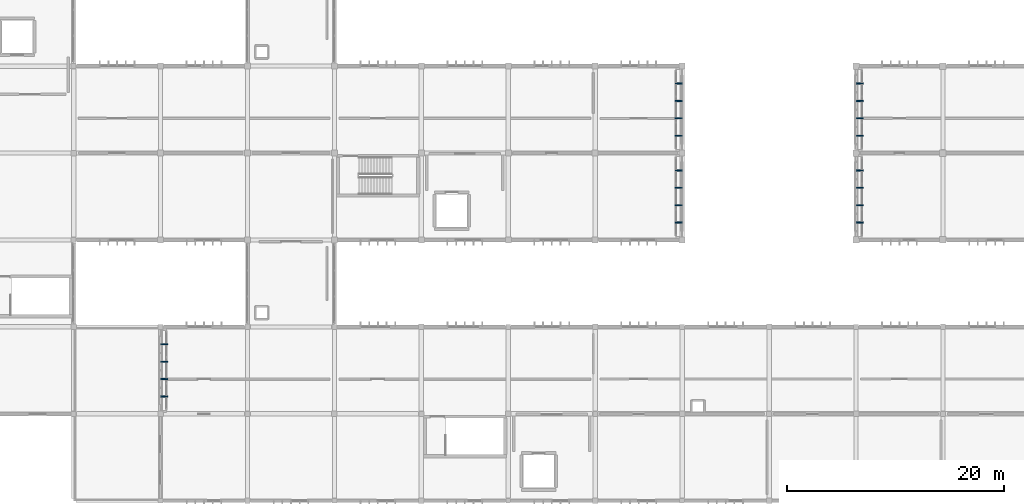
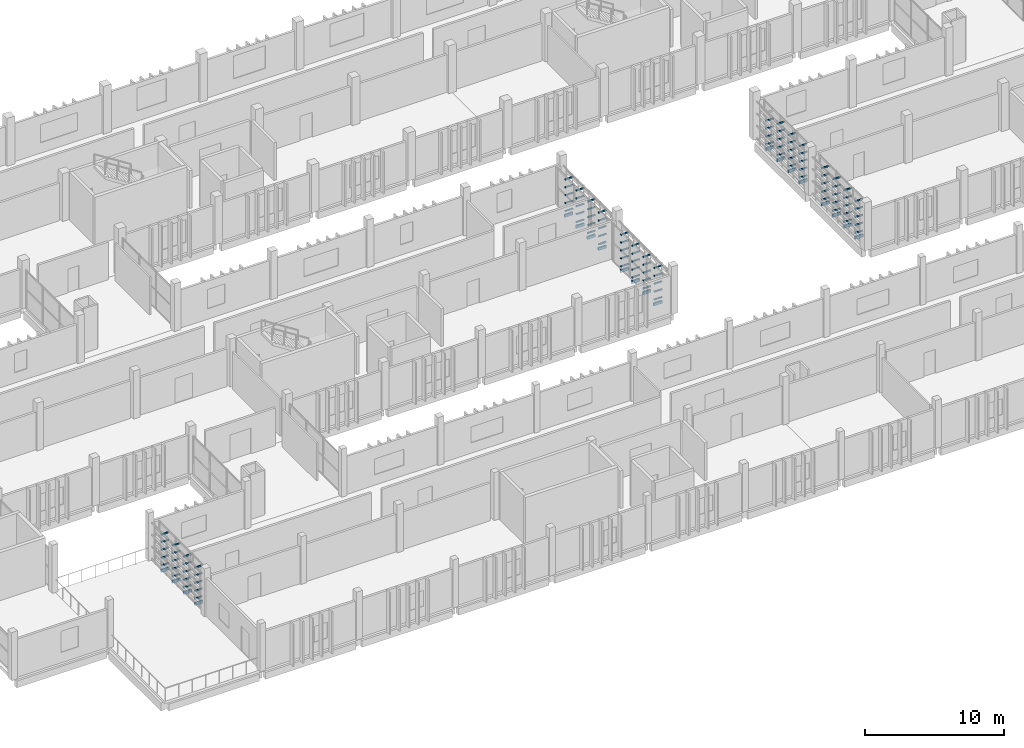
# One storey, part 56 of 63: 119 discrete accessories.
"""IFC4 building model written with IfcOpenShell, lengths in metres."""

from ifc_helpers import new_model, si_unit, direction, frame, origin, origin_2d, place, context, subcontext, project, spatial, rectangle, extrude, material, type_object, element, save


model = new_model("IFC4")

# Units and contexts
model_context = context("Model", 3, precision=1e-05, world=origin(), true_north=direction((0.0, 1.0)))
body_context = subcontext(model_context, "Body", "Model", "MODEL_VIEW")
ifc_project = project(units=[si_unit("LENGTHUNIT", "METRE"), si_unit("AREAUNIT", "SQUARE_METRE"), si_unit("VOLUMEUNIT", "CUBIC_METRE"), si_unit("PLANEANGLEUNIT", "RADIAN"), si_unit("MASSUNIT", "GRAM", prefix="KILO")], contexts=[model_context])

# Site, building, storey
site_placement = place(None, origin())
site = spatial("IfcSite", under=ifc_project, at=site_placement, CompositionType="ELEMENT")
building_placement = place(site_placement, origin())
building = spatial("IfcBuilding", under=site, at=building_placement, Name="Jelvoka-Kovrelna Polytechnic", CompositionType="ELEMENT")
storey_placement = place(building_placement, frame((0.0, 0.0, 18.0)))
storey = spatial("IfcBuildingStorey", under=building, at=storey_placement, Name="L05", CompositionType="ELEMENT", Elevation=18.0)

# Discrete accessories
ifc_material = material(Name="Structural steel S355JR", Category="steel")
discrete_accessory_type = type_object("IfcDiscreteAccessoryType", Name="Bracket_Outrigger_S355", PredefinedType="BRACKET", material=ifc_material)
discrete_accessory_1_placement = place(storey_placement, frame((64.320068359375, 17.60009765625, 0.33984375), z_axis=(0.0, 0.0, 1.0), x_axis=(1.0, 0.0, 0.0)))
element("IfcDiscreteAccessory", 1, at=discrete_accessory_1_placement, inside=storey, type_object=discrete_accessory_type, Name="L05 screen outrigger tie bracket BRKM-PLT-SCR-0121", PredefinedType="BRACKET", context=body_context, shape_type="SweptSolid", body=[
    extrude(rectangle(XDim=0.639892578125, YDim=0.080078125, at=origin_2d()), origin(), (0.0, 0.0, 1.0), 0.080078125),
])
discrete_accessory_2_placement = place(storey_placement, frame((64.340087890625, 17.60009765625, -0.2001953125), z_axis=(0.0, 0.0, 1.0), x_axis=(1.0, 0.0, 0.0)))
element("IfcDiscreteAccessory", 2, at=discrete_accessory_2_placement, inside=storey, type_object=discrete_accessory_type, Name="L05 screen outrigger tie bracket BRK-PLT-SCR-0121", PredefinedType="BRACKET", context=body_context, shape_type="SweptSolid", body=[
    extrude(rectangle(XDim=0.679931640625, YDim=0.1201171875, at=origin_2d()), origin(), (0.0, 0.0, 1.0), 0.239990234375),
])
for number, where, z_axis, x_axis, name in (
    (3, (64.320068359375, 17.60009765625, 1.017578125), (0.0, 0.0, 1.0), (1.0, 0.0, 0.0), "L05 screen outrigger tie bracket BRKM-PLT-SCR-0122"),
    (4, (64.320068359375, 17.60009765625, 1.695068359375), (0.0, 0.0, 1.0), (1.0, 0.0, 0.0), "L05 screen outrigger tie bracket BRKM-PLT-SCR-0123"),
    (5, (64.320068359375, 17.60009765625, 2.37255859375), (0.0, 0.0, 1.0), (1.0, 0.0, 0.0), "L05 screen outrigger tie bracket BRKM-PLT-SCR-0124"),
    (6, (64.320068359375, 17.60009765625, 3.050048828125), (0.0, 0.0, 1.0), (1.0, 0.0, 0.0), "L05 screen outrigger tie bracket BRKM-PLT-SCR-0125"),
    (7, (64.320068359375, 19.199951171875, 0.33984375), (0.0, 0.0, 1.0), (1.0, 0.0, 0.0), "L05 screen outrigger tie bracket BRKM-PLT-SCR-0126"),
):
    element("IfcDiscreteAccessory", number, at=place(storey_placement, frame(where, z_axis=z_axis, x_axis=x_axis)), inside=storey, type_object=discrete_accessory_type, Name=name, PredefinedType="BRACKET", context=body_context, shape_type="SweptSolid", body=[
        extrude(rectangle(XDim=0.639892578125, YDim=0.080078125, at=origin_2d()), origin(), (0.0, 0.0, 1.0), 0.080078125),
    ])
discrete_accessory_3_placement = place(storey_placement, frame((64.340087890625, 19.199951171875, -0.2001953125), z_axis=(0.0, 0.0, 1.0), x_axis=(1.0, 0.0, 0.0)))
element("IfcDiscreteAccessory", 8, at=discrete_accessory_3_placement, inside=storey, type_object=discrete_accessory_type, Name="L05 screen outrigger tie bracket BRK-PLT-SCR-0126", PredefinedType="BRACKET", context=body_context, shape_type="SweptSolid", body=[
    extrude(rectangle(XDim=0.679931640625, YDim=0.1201171875, at=origin_2d()), origin(), (0.0, 0.0, 1.0), 0.239990234375),
])
for number, where, z_axis, x_axis, name in (
    (9, (64.320068359375, 19.199951171875, 1.017578125), (0.0, 0.0, 1.0), (1.0, 0.0, 0.0), "L05 screen outrigger tie bracket BRKM-PLT-SCR-0127"),
    (10, (64.320068359375, 19.199951171875, 1.695068359375), (0.0, 0.0, 1.0), (1.0, 0.0, 0.0), "L05 screen outrigger tie bracket BRKM-PLT-SCR-0128"),
    (11, (64.320068359375, 19.199951171875, 2.37255859375), (0.0, 0.0, 1.0), (1.0, 0.0, 0.0), "L05 screen outrigger tie bracket BRKM-PLT-SCR-0129"),
    (12, (64.320068359375, 19.199951171875, 3.050048828125), (0.0, 0.0, 1.0), (1.0, 0.0, 0.0), "L05 screen outrigger tie bracket BRKM-PLT-SCR-0130"),
    (13, (64.320068359375, 20.800048828125, 0.33984375), (0.0, 0.0, 1.0), (1.0, 0.0, 0.0), "L05 screen outrigger tie bracket BRKM-PLT-SCR-0131"),
):
    element("IfcDiscreteAccessory", number, at=place(storey_placement, frame(where, z_axis=z_axis, x_axis=x_axis)), inside=storey, type_object=discrete_accessory_type, Name=name, PredefinedType="BRACKET", context=body_context, shape_type="SweptSolid", body=[
        extrude(rectangle(XDim=0.639892578125, YDim=0.080078125, at=origin_2d()), origin(), (0.0, 0.0, 1.0), 0.080078125),
    ])
discrete_accessory_4_placement = place(storey_placement, frame((64.340087890625, 20.800048828125, -0.2001953125), z_axis=(0.0, 0.0, 1.0), x_axis=(1.0, 0.0, 0.0)))
element("IfcDiscreteAccessory", 14, at=discrete_accessory_4_placement, inside=storey, type_object=discrete_accessory_type, Name="L05 screen outrigger tie bracket BRK-PLT-SCR-0131", PredefinedType="BRACKET", context=body_context, shape_type="SweptSolid", body=[
    extrude(rectangle(XDim=0.679931640625, YDim=0.1201171875, at=origin_2d()), origin(), (0.0, 0.0, 1.0), 0.239990234375),
])
for number, where, z_axis, x_axis, name in (
    (15, (64.320068359375, 20.800048828125, 1.017578125), (0.0, 0.0, 1.0), (1.0, 0.0, 0.0), "L05 screen outrigger tie bracket BRKM-PLT-SCR-0132"),
    (16, (64.320068359375, 20.800048828125, 1.695068359375), (0.0, 0.0, 1.0), (1.0, 0.0, 0.0), "L05 screen outrigger tie bracket BRKM-PLT-SCR-0133"),
    (17, (64.320068359375, 20.800048828125, 2.37255859375), (0.0, 0.0, 1.0), (1.0, 0.0, 0.0), "L05 screen outrigger tie bracket BRKM-PLT-SCR-0134"),
    (18, (64.320068359375, 20.800048828125, 3.050048828125), (0.0, 0.0, 1.0), (1.0, 0.0, 0.0), "L05 screen outrigger tie bracket BRKM-PLT-SCR-0135"),
    (19, (64.320068359375, 22.39990234375, 0.33984375), (0.0, 0.0, 1.0), (1.0, 0.0, 0.0), "L05 screen outrigger tie bracket BRKM-PLT-SCR-0136"),
):
    element("IfcDiscreteAccessory", number, at=place(storey_placement, frame(where, z_axis=z_axis, x_axis=x_axis)), inside=storey, type_object=discrete_accessory_type, Name=name, PredefinedType="BRACKET", context=body_context, shape_type="SweptSolid", body=[
        extrude(rectangle(XDim=0.639892578125, YDim=0.080078125, at=origin_2d()), origin(), (0.0, 0.0, 1.0), 0.080078125),
    ])
discrete_accessory_5_placement = place(storey_placement, frame((64.340087890625, 22.39990234375, -0.2001953125), z_axis=(0.0, 0.0, 1.0), x_axis=(1.0, 0.0, 0.0)))
element("IfcDiscreteAccessory", 20, at=discrete_accessory_5_placement, inside=storey, type_object=discrete_accessory_type, Name="L05 screen outrigger tie bracket BRK-PLT-SCR-0136", PredefinedType="BRACKET", context=body_context, shape_type="SweptSolid", body=[
    extrude(rectangle(XDim=0.679931640625, YDim=0.1201171875, at=origin_2d()), origin(), (0.0, 0.0, 1.0), 0.239990234375),
])
for number, where, z_axis, x_axis, name in (
    (21, (64.320068359375, 22.39990234375, 1.017578125), (0.0, 0.0, 1.0), (1.0, 0.0, 0.0), "L05 screen outrigger tie bracket BRKM-PLT-SCR-0137"),
    (22, (64.320068359375, 22.39990234375, 1.695068359375), (0.0, 0.0, 1.0), (1.0, 0.0, 0.0), "L05 screen outrigger tie bracket BRKM-PLT-SCR-0138"),
    (23, (64.320068359375, 22.39990234375, 2.37255859375), (0.0, 0.0, 1.0), (1.0, 0.0, 0.0), "L05 screen outrigger tie bracket BRKM-PLT-SCR-0139"),
    (24, (64.320068359375, 22.39990234375, 3.050048828125), (0.0, 0.0, 1.0), (1.0, 0.0, 0.0), "L05 screen outrigger tie bracket BRKM-PLT-SCR-0140"),
    (25, (111.679931640625, 33.60009765625, 0.280029296875), (0.0, 0.0, 1.0), (1.0, 0.0, 0.0), "L05 screen outrigger tie bracket BRKM-PLT-SCR-0321"),
):
    element("IfcDiscreteAccessory", number, at=place(storey_placement, frame(where, z_axis=z_axis, x_axis=x_axis)), inside=storey, type_object=discrete_accessory_type, Name=name, PredefinedType="BRACKET", context=body_context, shape_type="SweptSolid", body=[
        extrude(rectangle(XDim=0.639892578125, YDim=0.080078125, at=origin_2d()), origin(), (0.0, 0.0, 1.0), 0.080078125),
    ])
discrete_accessory_6_placement = place(storey_placement, frame((111.659912109375, 33.60009765625, -0.2001953125), z_axis=(0.0, 0.0, 1.0), x_axis=(1.0, 0.0, 0.0)))
element("IfcDiscreteAccessory", 26, at=discrete_accessory_6_placement, inside=storey, type_object=discrete_accessory_type, Name="L05 screen outrigger tie bracket BRK-PLT-SCR-0321", PredefinedType="BRACKET", context=body_context, shape_type="SweptSolid", body=[
    extrude(rectangle(XDim=0.679931640625, YDim=0.1201171875, at=origin_2d()), origin(), (0.0, 0.0, 1.0), 0.239990234375),
])
for number, where, z_axis, x_axis, name in (
    (27, (111.679931640625, 33.60009765625, 0.972412109375), (0.0, 0.0, 1.0), (1.0, 0.0, 0.0), "L05 screen outrigger tie bracket BRKM-PLT-SCR-0322"),
    (28, (111.679931640625, 33.60009765625, 1.6650390625), (0.0, 0.0, 1.0), (1.0, 0.0, 0.0), "L05 screen outrigger tie bracket BRKM-PLT-SCR-0323"),
    (29, (111.679931640625, 33.60009765625, 2.357421875), (0.0, 0.0, 1.0), (1.0, 0.0, 0.0), "L05 screen outrigger tie bracket BRKM-PLT-SCR-0324"),
    (30, (111.679931640625, 33.60009765625, 3.050048828125), (0.0, 0.0, 1.0), (1.0, 0.0, 0.0), "L05 screen outrigger tie bracket BRKM-PLT-SCR-0325"),
    (31, (111.679931640625, 35.199951171875, 0.280029296875), (0.0, 0.0, 1.0), (1.0, 0.0, 0.0), "L05 screen outrigger tie bracket BRKM-PLT-SCR-0326"),
):
    element("IfcDiscreteAccessory", number, at=place(storey_placement, frame(where, z_axis=z_axis, x_axis=x_axis)), inside=storey, type_object=discrete_accessory_type, Name=name, PredefinedType="BRACKET", context=body_context, shape_type="SweptSolid", body=[
        extrude(rectangle(XDim=0.639892578125, YDim=0.080078125, at=origin_2d()), origin(), (0.0, 0.0, 1.0), 0.080078125),
    ])
discrete_accessory_7_placement = place(storey_placement, frame((111.659912109375, 35.199951171875, -0.2001953125), z_axis=(0.0, 0.0, 1.0), x_axis=(1.0, 0.0, 0.0)))
element("IfcDiscreteAccessory", 32, at=discrete_accessory_7_placement, inside=storey, type_object=discrete_accessory_type, Name="L05 screen outrigger tie bracket BRK-PLT-SCR-0326", PredefinedType="BRACKET", context=body_context, shape_type="SweptSolid", body=[
    extrude(rectangle(XDim=0.679931640625, YDim=0.1201171875, at=origin_2d()), origin(), (0.0, 0.0, 1.0), 0.239990234375),
])
for number, where, z_axis, x_axis, name in (
    (33, (111.679931640625, 35.199951171875, 0.972412109375), (0.0, 0.0, 1.0), (1.0, 0.0, 0.0), "L05 screen outrigger tie bracket BRKM-PLT-SCR-0327"),
    (34, (111.679931640625, 35.199951171875, 1.6650390625), (0.0, 0.0, 1.0), (1.0, 0.0, 0.0), "L05 screen outrigger tie bracket BRKM-PLT-SCR-0328"),
    (35, (111.679931640625, 35.199951171875, 2.357421875), (0.0, 0.0, 1.0), (1.0, 0.0, 0.0), "L05 screen outrigger tie bracket BRKM-PLT-SCR-0329"),
    (36, (111.679931640625, 35.199951171875, 3.050048828125), (0.0, 0.0, 1.0), (1.0, 0.0, 0.0), "L05 screen outrigger tie bracket BRKM-PLT-SCR-0330"),
    (37, (111.679931640625, 36.800048828125, 0.280029296875), (0.0, 0.0, 1.0), (1.0, 0.0, 0.0), "L05 screen outrigger tie bracket BRKM-PLT-SCR-0331"),
):
    element("IfcDiscreteAccessory", number, at=place(storey_placement, frame(where, z_axis=z_axis, x_axis=x_axis)), inside=storey, type_object=discrete_accessory_type, Name=name, PredefinedType="BRACKET", context=body_context, shape_type="SweptSolid", body=[
        extrude(rectangle(XDim=0.639892578125, YDim=0.080078125, at=origin_2d()), origin(), (0.0, 0.0, 1.0), 0.080078125),
    ])
discrete_accessory_8_placement = place(storey_placement, frame((111.659912109375, 36.800048828125, -0.2001953125), z_axis=(0.0, 0.0, 1.0), x_axis=(1.0, 0.0, 0.0)))
element("IfcDiscreteAccessory", 38, at=discrete_accessory_8_placement, inside=storey, type_object=discrete_accessory_type, Name="L05 screen outrigger tie bracket BRK-PLT-SCR-0331", PredefinedType="BRACKET", context=body_context, shape_type="SweptSolid", body=[
    extrude(rectangle(XDim=0.679931640625, YDim=0.1201171875, at=origin_2d()), origin(), (0.0, 0.0, 1.0), 0.239990234375),
])
for number, where, z_axis, x_axis, name in (
    (39, (111.679931640625, 36.800048828125, 0.972412109375), (0.0, 0.0, 1.0), (1.0, 0.0, 0.0), "L05 screen outrigger tie bracket BRKM-PLT-SCR-0332"),
    (40, (111.679931640625, 36.800048828125, 1.6650390625), (0.0, 0.0, 1.0), (1.0, 0.0, 0.0), "L05 screen outrigger tie bracket BRKM-PLT-SCR-0333"),
    (41, (111.679931640625, 36.800048828125, 2.357421875), (0.0, 0.0, 1.0), (1.0, 0.0, 0.0), "L05 screen outrigger tie bracket BRKM-PLT-SCR-0334"),
    (42, (111.679931640625, 36.800048828125, 3.050048828125), (0.0, 0.0, 1.0), (1.0, 0.0, 0.0), "L05 screen outrigger tie bracket BRKM-PLT-SCR-0335"),
    (43, (111.679931640625, 38.39990234375, 0.280029296875), (0.0, 0.0, 1.0), (1.0, 0.0, 0.0), "L05 screen outrigger tie bracket BRKM-PLT-SCR-0336"),
):
    element("IfcDiscreteAccessory", number, at=place(storey_placement, frame(where, z_axis=z_axis, x_axis=x_axis)), inside=storey, type_object=discrete_accessory_type, Name=name, PredefinedType="BRACKET", context=body_context, shape_type="SweptSolid", body=[
        extrude(rectangle(XDim=0.639892578125, YDim=0.080078125, at=origin_2d()), origin(), (0.0, 0.0, 1.0), 0.080078125),
    ])
discrete_accessory_9_placement = place(storey_placement, frame((111.659912109375, 38.39990234375, -0.2001953125), z_axis=(0.0, 0.0, 1.0), x_axis=(1.0, 0.0, 0.0)))
element("IfcDiscreteAccessory", 44, at=discrete_accessory_9_placement, inside=storey, type_object=discrete_accessory_type, Name="L05 screen outrigger tie bracket BRK-PLT-SCR-0336", PredefinedType="BRACKET", context=body_context, shape_type="SweptSolid", body=[
    extrude(rectangle(XDim=0.679931640625, YDim=0.1201171875, at=origin_2d()), origin(), (0.0, 0.0, 1.0), 0.239990234375),
])
for number, where, z_axis, x_axis, name in (
    (45, (111.679931640625, 38.39990234375, 0.972412109375), (0.0, 0.0, 1.0), (1.0, 0.0, 0.0), "L05 screen outrigger tie bracket BRKM-PLT-SCR-0337"),
    (46, (111.679931640625, 38.39990234375, 1.6650390625), (0.0, 0.0, 1.0), (1.0, 0.0, 0.0), "L05 screen outrigger tie bracket BRKM-PLT-SCR-0338"),
    (47, (111.679931640625, 38.39990234375, 2.357421875), (0.0, 0.0, 1.0), (1.0, 0.0, 0.0), "L05 screen outrigger tie bracket BRKM-PLT-SCR-0339"),
    (48, (111.679931640625, 38.39990234375, 3.050048828125), (0.0, 0.0, 1.0), (1.0, 0.0, 0.0), "L05 screen outrigger tie bracket BRKM-PLT-SCR-0340"),
    (49, (111.679931640625, 41.60009765625, 0.280029296875), (0.0, 0.0, 1.0), (1.0, 0.0, 0.0), "L05 screen outrigger tie bracket BRKM-PLT-SCR-0341"),
):
    element("IfcDiscreteAccessory", number, at=place(storey_placement, frame(where, z_axis=z_axis, x_axis=x_axis)), inside=storey, type_object=discrete_accessory_type, Name=name, PredefinedType="BRACKET", context=body_context, shape_type="SweptSolid", body=[
        extrude(rectangle(XDim=0.639892578125, YDim=0.080078125, at=origin_2d()), origin(), (0.0, 0.0, 1.0), 0.080078125),
    ])
discrete_accessory_10_placement = place(storey_placement, frame((111.659912109375, 41.60009765625, -0.2001953125), z_axis=(0.0, 0.0, 1.0), x_axis=(1.0, 0.0, 0.0)))
element("IfcDiscreteAccessory", 50, at=discrete_accessory_10_placement, inside=storey, type_object=discrete_accessory_type, Name="L05 screen outrigger tie bracket BRK-PLT-SCR-0341", PredefinedType="BRACKET", context=body_context, shape_type="SweptSolid", body=[
    extrude(rectangle(XDim=0.679931640625, YDim=0.1201171875, at=origin_2d()), origin(), (0.0, 0.0, 1.0), 0.239990234375),
])
for number, where, z_axis, x_axis, name in (
    (51, (111.679931640625, 41.60009765625, 0.972412109375), (0.0, 0.0, 1.0), (1.0, 0.0, 0.0), "L05 screen outrigger tie bracket BRKM-PLT-SCR-0342"),
    (52, (111.679931640625, 41.60009765625, 1.6650390625), (0.0, 0.0, 1.0), (1.0, 0.0, 0.0), "L05 screen outrigger tie bracket BRKM-PLT-SCR-0343"),
    (53, (111.679931640625, 41.60009765625, 2.357421875), (0.0, 0.0, 1.0), (1.0, 0.0, 0.0), "L05 screen outrigger tie bracket BRKM-PLT-SCR-0344"),
    (54, (111.679931640625, 41.60009765625, 3.050048828125), (0.0, 0.0, 1.0), (1.0, 0.0, 0.0), "L05 screen outrigger tie bracket BRKM-PLT-SCR-0345"),
    (55, (111.679931640625, 43.199951171875, 0.280029296875), (0.0, 0.0, 1.0), (1.0, 0.0, 0.0), "L05 screen outrigger tie bracket BRKM-PLT-SCR-0346"),
):
    element("IfcDiscreteAccessory", number, at=place(storey_placement, frame(where, z_axis=z_axis, x_axis=x_axis)), inside=storey, type_object=discrete_accessory_type, Name=name, PredefinedType="BRACKET", context=body_context, shape_type="SweptSolid", body=[
        extrude(rectangle(XDim=0.639892578125, YDim=0.080078125, at=origin_2d()), origin(), (0.0, 0.0, 1.0), 0.080078125),
    ])
discrete_accessory_11_placement = place(storey_placement, frame((111.659912109375, 43.199951171875, -0.2001953125), z_axis=(0.0, 0.0, 1.0), x_axis=(1.0, 0.0, 0.0)))
element("IfcDiscreteAccessory", 56, at=discrete_accessory_11_placement, inside=storey, type_object=discrete_accessory_type, Name="L05 screen outrigger tie bracket BRK-PLT-SCR-0346", PredefinedType="BRACKET", context=body_context, shape_type="SweptSolid", body=[
    extrude(rectangle(XDim=0.679931640625, YDim=0.1201171875, at=origin_2d()), origin(), (0.0, 0.0, 1.0), 0.239990234375),
])
for number, where, z_axis, x_axis, name in (
    (57, (111.679931640625, 43.199951171875, 0.972412109375), (0.0, 0.0, 1.0), (1.0, 0.0, 0.0), "L05 screen outrigger tie bracket BRKM-PLT-SCR-0347"),
    (58, (111.679931640625, 43.199951171875, 1.6650390625), (0.0, 0.0, 1.0), (1.0, 0.0, 0.0), "L05 screen outrigger tie bracket BRKM-PLT-SCR-0348"),
    (59, (111.679931640625, 43.199951171875, 2.357421875), (0.0, 0.0, 1.0), (1.0, 0.0, 0.0), "L05 screen outrigger tie bracket BRKM-PLT-SCR-0349"),
    (60, (111.679931640625, 43.199951171875, 3.050048828125), (0.0, 0.0, 1.0), (1.0, 0.0, 0.0), "L05 screen outrigger tie bracket BRKM-PLT-SCR-0350"),
    (61, (111.679931640625, 44.800048828125, 0.280029296875), (0.0, 0.0, 1.0), (1.0, 0.0, 0.0), "L05 screen outrigger tie bracket BRKM-PLT-SCR-0351"),
):
    element("IfcDiscreteAccessory", number, at=place(storey_placement, frame(where, z_axis=z_axis, x_axis=x_axis)), inside=storey, type_object=discrete_accessory_type, Name=name, PredefinedType="BRACKET", context=body_context, shape_type="SweptSolid", body=[
        extrude(rectangle(XDim=0.639892578125, YDim=0.080078125, at=origin_2d()), origin(), (0.0, 0.0, 1.0), 0.080078125),
    ])
discrete_accessory_12_placement = place(storey_placement, frame((111.659912109375, 44.800048828125, -0.2001953125), z_axis=(0.0, 0.0, 1.0), x_axis=(1.0, 0.0, 0.0)))
element("IfcDiscreteAccessory", 62, at=discrete_accessory_12_placement, inside=storey, type_object=discrete_accessory_type, Name="L05 screen outrigger tie bracket BRK-PLT-SCR-0351", PredefinedType="BRACKET", context=body_context, shape_type="SweptSolid", body=[
    extrude(rectangle(XDim=0.679931640625, YDim=0.1201171875, at=origin_2d()), origin(), (0.0, 0.0, 1.0), 0.239990234375),
])
for number, where, z_axis, x_axis, name in (
    (63, (111.679931640625, 44.800048828125, 0.972412109375), (0.0, 0.0, 1.0), (1.0, 0.0, 0.0), "L05 screen outrigger tie bracket BRKM-PLT-SCR-0352"),
    (64, (111.679931640625, 44.800048828125, 1.6650390625), (0.0, 0.0, 1.0), (1.0, 0.0, 0.0), "L05 screen outrigger tie bracket BRKM-PLT-SCR-0353"),
    (65, (111.679931640625, 44.800048828125, 2.357421875), (0.0, 0.0, 1.0), (1.0, 0.0, 0.0), "L05 screen outrigger tie bracket BRKM-PLT-SCR-0354"),
    (66, (111.679931640625, 44.800048828125, 3.050048828125), (0.0, 0.0, 1.0), (1.0, 0.0, 0.0), "L05 screen outrigger tie bracket BRKM-PLT-SCR-0355"),
    (67, (111.679931640625, 46.39990234375, 0.280029296875), (0.0, 0.0, 1.0), (1.0, 0.0, 0.0), "L05 screen outrigger tie bracket BRKM-PLT-SCR-0356"),
):
    element("IfcDiscreteAccessory", number, at=place(storey_placement, frame(where, z_axis=z_axis, x_axis=x_axis)), inside=storey, type_object=discrete_accessory_type, Name=name, PredefinedType="BRACKET", context=body_context, shape_type="SweptSolid", body=[
        extrude(rectangle(XDim=0.639892578125, YDim=0.080078125, at=origin_2d()), origin(), (0.0, 0.0, 1.0), 0.080078125),
    ])
discrete_accessory_13_placement = place(storey_placement, frame((111.659912109375, 46.39990234375, -0.2001953125), z_axis=(0.0, 0.0, 1.0), x_axis=(1.0, 0.0, 0.0)))
element("IfcDiscreteAccessory", 68, at=discrete_accessory_13_placement, inside=storey, type_object=discrete_accessory_type, Name="L05 screen outrigger tie bracket BRK-PLT-SCR-0356", PredefinedType="BRACKET", context=body_context, shape_type="SweptSolid", body=[
    extrude(rectangle(XDim=0.679931640625, YDim=0.1201171875, at=origin_2d()), origin(), (0.0, 0.0, 1.0), 0.239990234375),
])
for number, where, z_axis, x_axis, name in (
    (69, (111.679931640625, 46.39990234375, 0.972412109375), (0.0, 0.0, 1.0), (1.0, 0.0, 0.0), "L05 screen outrigger tie bracket BRKM-PLT-SCR-0357"),
    (70, (111.679931640625, 46.39990234375, 1.6650390625), (0.0, 0.0, 1.0), (1.0, 0.0, 0.0), "L05 screen outrigger tie bracket BRKM-PLT-SCR-0358"),
    (71, (111.679931640625, 46.39990234375, 2.357421875), (0.0, 0.0, 1.0), (1.0, 0.0, 0.0), "L05 screen outrigger tie bracket BRKM-PLT-SCR-0359"),
    (72, (111.679931640625, 46.39990234375, 3.050048828125), (0.0, 0.0, 1.0), (1.0, 0.0, 0.0), "L05 screen outrigger tie bracket BRKM-PLT-SCR-0360"),
    (73, (128.320068359375, 33.60009765625, 0.280029296875), (0.0, 0.0, 1.0), (1.0, 0.0, 0.0), "L05 screen outrigger tie bracket BRKM-PLT-SCR-0741"),
):
    element("IfcDiscreteAccessory", number, at=place(storey_placement, frame(where, z_axis=z_axis, x_axis=x_axis)), inside=storey, type_object=discrete_accessory_type, Name=name, PredefinedType="BRACKET", context=body_context, shape_type="SweptSolid", body=[
        extrude(rectangle(XDim=0.639892578125, YDim=0.080078125, at=origin_2d()), origin(), (0.0, 0.0, 1.0), 0.080078125),
    ])
discrete_accessory_14_placement = place(storey_placement, frame((128.340087890625, 33.60009765625, -0.2001953125), z_axis=(0.0, 0.0, 1.0), x_axis=(1.0, 0.0, 0.0)))
element("IfcDiscreteAccessory", 74, at=discrete_accessory_14_placement, inside=storey, type_object=discrete_accessory_type, Name="L05 screen outrigger tie bracket BRK-PLT-SCR-0741", PredefinedType="BRACKET", context=body_context, shape_type="SweptSolid", body=[
    extrude(rectangle(XDim=0.679931640625, YDim=0.1201171875, at=origin_2d()), origin(), (0.0, 0.0, 1.0), 0.239990234375),
])
for number, where, z_axis, x_axis, name in (
    (75, (128.320068359375, 33.60009765625, 0.972412109375), (0.0, 0.0, 1.0), (1.0, 0.0, 0.0), "L05 screen outrigger tie bracket BRKM-PLT-SCR-0742"),
    (76, (128.320068359375, 33.60009765625, 1.6650390625), (0.0, 0.0, 1.0), (1.0, 0.0, 0.0), "L05 screen outrigger tie bracket BRKM-PLT-SCR-0743"),
    (77, (128.320068359375, 33.60009765625, 2.357421875), (0.0, 0.0, 1.0), (1.0, 0.0, 0.0), "L05 screen outrigger tie bracket BRKM-PLT-SCR-0744"),
    (78, (128.320068359375, 33.60009765625, 3.050048828125), (0.0, 0.0, 1.0), (1.0, 0.0, 0.0), "L05 screen outrigger tie bracket BRKM-PLT-SCR-0745"),
    (79, (128.320068359375, 35.199951171875, 0.280029296875), (0.0, 0.0, 1.0), (1.0, 0.0, 0.0), "L05 screen outrigger tie bracket BRKM-PLT-SCR-0746"),
):
    element("IfcDiscreteAccessory", number, at=place(storey_placement, frame(where, z_axis=z_axis, x_axis=x_axis)), inside=storey, type_object=discrete_accessory_type, Name=name, PredefinedType="BRACKET", context=body_context, shape_type="SweptSolid", body=[
        extrude(rectangle(XDim=0.639892578125, YDim=0.080078125, at=origin_2d()), origin(), (0.0, 0.0, 1.0), 0.080078125),
    ])
discrete_accessory_15_placement = place(storey_placement, frame((128.340087890625, 35.199951171875, -0.2001953125), z_axis=(0.0, 0.0, 1.0), x_axis=(1.0, 0.0, 0.0)))
element("IfcDiscreteAccessory", 80, at=discrete_accessory_15_placement, inside=storey, type_object=discrete_accessory_type, Name="L05 screen outrigger tie bracket BRK-PLT-SCR-0746", PredefinedType="BRACKET", context=body_context, shape_type="SweptSolid", body=[
    extrude(rectangle(XDim=0.679931640625, YDim=0.1201171875, at=origin_2d()), origin(), (0.0, 0.0, 1.0), 0.239990234375),
])
for number, where, z_axis, x_axis, name in (
    (81, (128.320068359375, 35.199951171875, 0.972412109375), (0.0, 0.0, 1.0), (1.0, 0.0, 0.0), "L05 screen outrigger tie bracket BRKM-PLT-SCR-0747"),
    (82, (128.320068359375, 35.199951171875, 1.6650390625), (0.0, 0.0, 1.0), (1.0, 0.0, 0.0), "L05 screen outrigger tie bracket BRKM-PLT-SCR-0748"),
    (83, (128.320068359375, 35.199951171875, 2.357421875), (0.0, 0.0, 1.0), (1.0, 0.0, 0.0), "L05 screen outrigger tie bracket BRKM-PLT-SCR-0749"),
    (84, (128.320068359375, 35.199951171875, 3.050048828125), (0.0, 0.0, 1.0), (1.0, 0.0, 0.0), "L05 screen outrigger tie bracket BRKM-PLT-SCR-0750"),
    (85, (128.320068359375, 36.800048828125, 0.280029296875), (0.0, 0.0, 1.0), (1.0, 0.0, 0.0), "L05 screen outrigger tie bracket BRKM-PLT-SCR-0751"),
):
    element("IfcDiscreteAccessory", number, at=place(storey_placement, frame(where, z_axis=z_axis, x_axis=x_axis)), inside=storey, type_object=discrete_accessory_type, Name=name, PredefinedType="BRACKET", context=body_context, shape_type="SweptSolid", body=[
        extrude(rectangle(XDim=0.639892578125, YDim=0.080078125, at=origin_2d()), origin(), (0.0, 0.0, 1.0), 0.080078125),
    ])
discrete_accessory_16_placement = place(storey_placement, frame((128.340087890625, 36.800048828125, -0.2001953125), z_axis=(0.0, 0.0, 1.0), x_axis=(1.0, 0.0, 0.0)))
element("IfcDiscreteAccessory", 86, at=discrete_accessory_16_placement, inside=storey, type_object=discrete_accessory_type, Name="L05 screen outrigger tie bracket BRK-PLT-SCR-0751", PredefinedType="BRACKET", context=body_context, shape_type="SweptSolid", body=[
    extrude(rectangle(XDim=0.679931640625, YDim=0.1201171875, at=origin_2d()), origin(), (0.0, 0.0, 1.0), 0.239990234375),
])
for number, where, z_axis, x_axis, name in (
    (87, (128.320068359375, 36.800048828125, 0.972412109375), (0.0, 0.0, 1.0), (1.0, 0.0, 0.0), "L05 screen outrigger tie bracket BRKM-PLT-SCR-0752"),
    (88, (128.320068359375, 36.800048828125, 1.6650390625), (0.0, 0.0, 1.0), (1.0, 0.0, 0.0), "L05 screen outrigger tie bracket BRKM-PLT-SCR-0753"),
    (89, (128.320068359375, 36.800048828125, 2.357421875), (0.0, 0.0, 1.0), (1.0, 0.0, 0.0), "L05 screen outrigger tie bracket BRKM-PLT-SCR-0754"),
    (90, (128.320068359375, 36.800048828125, 3.050048828125), (0.0, 0.0, 1.0), (1.0, 0.0, 0.0), "L05 screen outrigger tie bracket BRKM-PLT-SCR-0755"),
    (91, (128.320068359375, 38.39990234375, 0.280029296875), (0.0, 0.0, 1.0), (1.0, 0.0, 0.0), "L05 screen outrigger tie bracket BRKM-PLT-SCR-0756"),
):
    element("IfcDiscreteAccessory", number, at=place(storey_placement, frame(where, z_axis=z_axis, x_axis=x_axis)), inside=storey, type_object=discrete_accessory_type, Name=name, PredefinedType="BRACKET", context=body_context, shape_type="SweptSolid", body=[
        extrude(rectangle(XDim=0.639892578125, YDim=0.080078125, at=origin_2d()), origin(), (0.0, 0.0, 1.0), 0.080078125),
    ])
discrete_accessory_17_placement = place(storey_placement, frame((128.340087890625, 38.39990234375, -0.2001953125), z_axis=(0.0, 0.0, 1.0), x_axis=(1.0, 0.0, 0.0)))
element("IfcDiscreteAccessory", 92, at=discrete_accessory_17_placement, inside=storey, type_object=discrete_accessory_type, Name="L05 screen outrigger tie bracket BRK-PLT-SCR-0756", PredefinedType="BRACKET", context=body_context, shape_type="SweptSolid", body=[
    extrude(rectangle(XDim=0.679931640625, YDim=0.1201171875, at=origin_2d()), origin(), (0.0, 0.0, 1.0), 0.239990234375),
])
for number, where, z_axis, x_axis, name in (
    (93, (128.320068359375, 38.39990234375, 0.972412109375), (0.0, 0.0, 1.0), (1.0, 0.0, 0.0), "L05 screen outrigger tie bracket BRKM-PLT-SCR-0757"),
    (94, (128.320068359375, 38.39990234375, 1.6650390625), (0.0, 0.0, 1.0), (1.0, 0.0, 0.0), "L05 screen outrigger tie bracket BRKM-PLT-SCR-0758"),
    (95, (128.320068359375, 38.39990234375, 2.357421875), (0.0, 0.0, 1.0), (1.0, 0.0, 0.0), "L05 screen outrigger tie bracket BRKM-PLT-SCR-0759"),
    (96, (128.320068359375, 38.39990234375, 3.050048828125), (0.0, 0.0, 1.0), (1.0, 0.0, 0.0), "L05 screen outrigger tie bracket BRKM-PLT-SCR-0760"),
    (97, (128.320068359375, 41.60009765625, 0.280029296875), (0.0, 0.0, 1.0), (1.0, 0.0, 0.0), "L05 screen outrigger tie bracket BRKM-PLT-SCR-0761"),
):
    element("IfcDiscreteAccessory", number, at=place(storey_placement, frame(where, z_axis=z_axis, x_axis=x_axis)), inside=storey, type_object=discrete_accessory_type, Name=name, PredefinedType="BRACKET", context=body_context, shape_type="SweptSolid", body=[
        extrude(rectangle(XDim=0.639892578125, YDim=0.080078125, at=origin_2d()), origin(), (0.0, 0.0, 1.0), 0.080078125),
    ])
discrete_accessory_18_placement = place(storey_placement, frame((128.340087890625, 41.60009765625, -0.2001953125), z_axis=(0.0, 0.0, 1.0), x_axis=(1.0, 0.0, 0.0)))
element("IfcDiscreteAccessory", 98, at=discrete_accessory_18_placement, inside=storey, type_object=discrete_accessory_type, Name="L05 screen outrigger tie bracket BRK-PLT-SCR-0761", PredefinedType="BRACKET", context=body_context, shape_type="SweptSolid", body=[
    extrude(rectangle(XDim=0.679931640625, YDim=0.1201171875, at=origin_2d()), origin(), (0.0, 0.0, 1.0), 0.239990234375),
])
for number, where, z_axis, x_axis, name in (
    (99, (128.320068359375, 41.60009765625, 0.972412109375), (0.0, 0.0, 1.0), (1.0, 0.0, 0.0), "L05 screen outrigger tie bracket BRKM-PLT-SCR-0762"),
    (100, (128.320068359375, 41.60009765625, 1.6650390625), (0.0, 0.0, 1.0), (1.0, 0.0, 0.0), "L05 screen outrigger tie bracket BRKM-PLT-SCR-0763"),
    (101, (128.320068359375, 41.60009765625, 2.357421875), (0.0, 0.0, 1.0), (1.0, 0.0, 0.0), "L05 screen outrigger tie bracket BRKM-PLT-SCR-0764"),
    (102, (128.320068359375, 41.60009765625, 3.050048828125), (0.0, 0.0, 1.0), (1.0, 0.0, 0.0), "L05 screen outrigger tie bracket BRKM-PLT-SCR-0765"),
    (103, (128.320068359375, 43.199951171875, 0.280029296875), (0.0, 0.0, 1.0), (1.0, 0.0, 0.0), "L05 screen outrigger tie bracket BRKM-PLT-SCR-0766"),
):
    element("IfcDiscreteAccessory", number, at=place(storey_placement, frame(where, z_axis=z_axis, x_axis=x_axis)), inside=storey, type_object=discrete_accessory_type, Name=name, PredefinedType="BRACKET", context=body_context, shape_type="SweptSolid", body=[
        extrude(rectangle(XDim=0.639892578125, YDim=0.080078125, at=origin_2d()), origin(), (0.0, 0.0, 1.0), 0.080078125),
    ])
discrete_accessory_19_placement = place(storey_placement, frame((128.340087890625, 43.199951171875, -0.2001953125), z_axis=(0.0, 0.0, 1.0), x_axis=(1.0, 0.0, 0.0)))
element("IfcDiscreteAccessory", 104, at=discrete_accessory_19_placement, inside=storey, type_object=discrete_accessory_type, Name="L05 screen outrigger tie bracket BRK-PLT-SCR-0766", PredefinedType="BRACKET", context=body_context, shape_type="SweptSolid", body=[
    extrude(rectangle(XDim=0.679931640625, YDim=0.1201171875, at=origin_2d()), origin(), (0.0, 0.0, 1.0), 0.239990234375),
])
for number, where, z_axis, x_axis, name in (
    (105, (128.320068359375, 43.199951171875, 0.972412109375), (0.0, 0.0, 1.0), (1.0, 0.0, 0.0), "L05 screen outrigger tie bracket BRKM-PLT-SCR-0767"),
    (106, (128.320068359375, 43.199951171875, 1.6650390625), (0.0, 0.0, 1.0), (1.0, 0.0, 0.0), "L05 screen outrigger tie bracket BRKM-PLT-SCR-0768"),
    (107, (128.320068359375, 43.199951171875, 2.357421875), (0.0, 0.0, 1.0), (1.0, 0.0, 0.0), "L05 screen outrigger tie bracket BRKM-PLT-SCR-0769"),
    (108, (128.320068359375, 43.199951171875, 3.050048828125), (0.0, 0.0, 1.0), (1.0, 0.0, 0.0), "L05 screen outrigger tie bracket BRKM-PLT-SCR-0770"),
    (109, (128.320068359375, 44.800048828125, 0.280029296875), (0.0, 0.0, 1.0), (1.0, 0.0, 0.0), "L05 screen outrigger tie bracket BRKM-PLT-SCR-0771"),
):
    element("IfcDiscreteAccessory", number, at=place(storey_placement, frame(where, z_axis=z_axis, x_axis=x_axis)), inside=storey, type_object=discrete_accessory_type, Name=name, PredefinedType="BRACKET", context=body_context, shape_type="SweptSolid", body=[
        extrude(rectangle(XDim=0.639892578125, YDim=0.080078125, at=origin_2d()), origin(), (0.0, 0.0, 1.0), 0.080078125),
    ])
discrete_accessory_20_placement = place(storey_placement, frame((128.340087890625, 44.800048828125, -0.2001953125), z_axis=(0.0, 0.0, 1.0), x_axis=(1.0, 0.0, 0.0)))
element("IfcDiscreteAccessory", 110, at=discrete_accessory_20_placement, inside=storey, type_object=discrete_accessory_type, Name="L05 screen outrigger tie bracket BRK-PLT-SCR-0771", PredefinedType="BRACKET", context=body_context, shape_type="SweptSolid", body=[
    extrude(rectangle(XDim=0.679931640625, YDim=0.1201171875, at=origin_2d()), origin(), (0.0, 0.0, 1.0), 0.239990234375),
])
for number, where, z_axis, x_axis, name in (
    (111, (128.320068359375, 44.800048828125, 0.972412109375), (0.0, 0.0, 1.0), (1.0, 0.0, 0.0), "L05 screen outrigger tie bracket BRKM-PLT-SCR-0772"),
    (112, (128.320068359375, 44.800048828125, 1.6650390625), (0.0, 0.0, 1.0), (1.0, 0.0, 0.0), "L05 screen outrigger tie bracket BRKM-PLT-SCR-0773"),
    (113, (128.320068359375, 44.800048828125, 2.357421875), (0.0, 0.0, 1.0), (1.0, 0.0, 0.0), "L05 screen outrigger tie bracket BRKM-PLT-SCR-0774"),
    (114, (128.320068359375, 44.800048828125, 3.050048828125), (0.0, 0.0, 1.0), (1.0, 0.0, 0.0), "L05 screen outrigger tie bracket BRKM-PLT-SCR-0775"),
    (115, (128.320068359375, 46.39990234375, 0.280029296875), (0.0, 0.0, 1.0), (1.0, 0.0, 0.0), "L05 screen outrigger tie bracket BRKM-PLT-SCR-0776"),
):
    element("IfcDiscreteAccessory", number, at=place(storey_placement, frame(where, z_axis=z_axis, x_axis=x_axis)), inside=storey, type_object=discrete_accessory_type, Name=name, PredefinedType="BRACKET", context=body_context, shape_type="SweptSolid", body=[
        extrude(rectangle(XDim=0.639892578125, YDim=0.080078125, at=origin_2d()), origin(), (0.0, 0.0, 1.0), 0.080078125),
    ])
discrete_accessory_21_placement = place(storey_placement, frame((128.340087890625, 46.39990234375, -0.2001953125), z_axis=(0.0, 0.0, 1.0), x_axis=(1.0, 0.0, 0.0)))
element("IfcDiscreteAccessory", 116, at=discrete_accessory_21_placement, inside=storey, type_object=discrete_accessory_type, Name="L05 screen outrigger tie bracket BRK-PLT-SCR-0776", PredefinedType="BRACKET", context=body_context, shape_type="SweptSolid", body=[
    extrude(rectangle(XDim=0.679931640625, YDim=0.1201171875, at=origin_2d()), origin(), (0.0, 0.0, 1.0), 0.239990234375),
])
for number, where, z_axis, x_axis, name in (
    (117, (128.320068359375, 46.39990234375, 0.972412109375), (0.0, 0.0, 1.0), (1.0, 0.0, 0.0), "L05 screen outrigger tie bracket BRKM-PLT-SCR-0777"),
    (118, (128.320068359375, 46.39990234375, 1.6650390625), (0.0, 0.0, 1.0), (1.0, 0.0, 0.0), "L05 screen outrigger tie bracket BRKM-PLT-SCR-0778"),
    (119, (128.320068359375, 46.39990234375, 2.357421875), (0.0, 0.0, 1.0), (1.0, 0.0, 0.0), "L05 screen outrigger tie bracket BRKM-PLT-SCR-0779"),
):
    element("IfcDiscreteAccessory", number, at=place(storey_placement, frame(where, z_axis=z_axis, x_axis=x_axis)), inside=storey, type_object=discrete_accessory_type, Name=name, PredefinedType="BRACKET", context=body_context, shape_type="SweptSolid", body=[
        extrude(rectangle(XDim=0.639892578125, YDim=0.080078125, at=origin_2d()), origin(), (0.0, 0.0, 1.0), 0.080078125),
    ])

save(model, "model.ifc")
